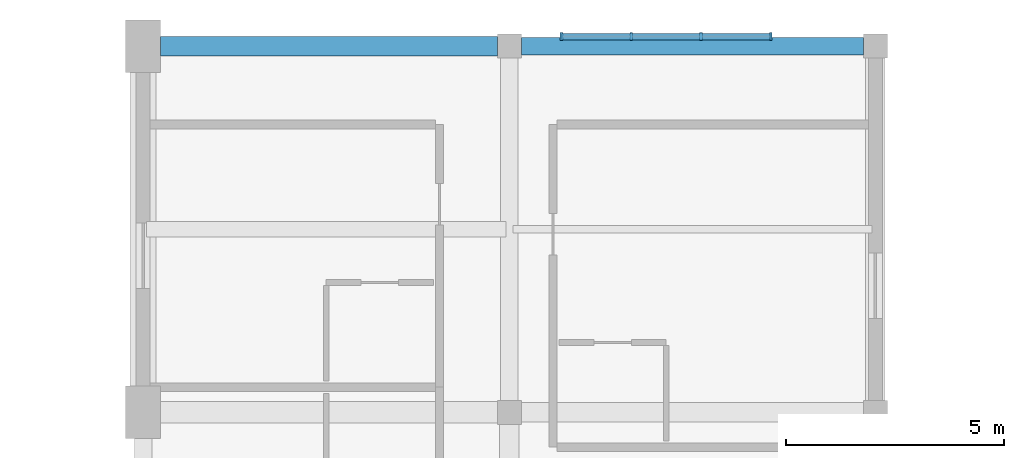
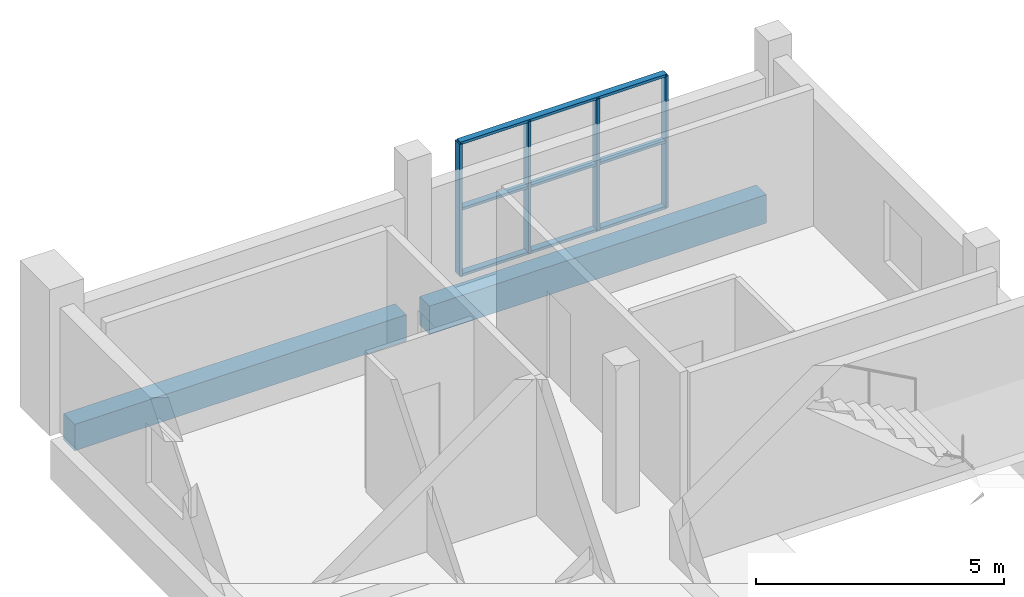
# One storey, part 6 of 20: 7 members, 2 beams, 1 element without a shape of its own.
"""IFC4 building model written with IfcOpenShell, lengths in metres."""

from ifc_helpers import new_model, si_unit, derived_unit, direction, frame, origin, origin_2d, place, context, subcontext, project, spatial, rectangle, extrude, material, material_profile, profile_set, type_object, element, aggregate, save


model = new_model("IFC4")

# Units and contexts
model_context = context("Model", 3, precision=1e-05, world=origin(), true_north=direction((0.0, 1.0)))
body_context = subcontext(model_context, "Body", "Model", "MODEL_VIEW")
ifc_project = project(units=[si_unit("LENGTHUNIT", "METRE"), si_unit("AREAUNIT", "SQUARE_METRE"), si_unit("VOLUMEUNIT", "CUBIC_METRE"), si_unit("PLANEANGLEUNIT", "RADIAN"), si_unit("MASSUNIT", "GRAM", prefix="KILO"), derived_unit("THERMALTRANSMITTANCEUNIT", [(si_unit("POWERUNIT", "WATT"), 1), (si_unit("LENGTHUNIT", "METRE"), -2), (si_unit("THERMODYNAMICTEMPERATUREUNIT", "KELVIN"), -1)])], contexts=[model_context])

# Site, building, storey
site_placement = place(None, origin())
site = spatial("IfcSite", under=ifc_project, at=site_placement, CompositionType="ELEMENT")
building_placement = place(site_placement, origin())
building = spatial("IfcBuilding", under=site, at=building_placement, Name="Barrovel Congress Hotel", CompositionType="ELEMENT")
storey_placement = place(building_placement, frame((0.0, 0.0, 36.300048828125)))
storey = spatial("IfcBuildingStorey", under=building, at=storey_placement, Name="L09", CompositionType="ELEMENT", Elevation=36.300048828125)

# Beams
ifc_material_1 = material(Name="Concrete C40", Category="concrete")
ifc_material_profile_1 = material_profile(ifc_material_1, rectangle(XDim=0.39990234375, YDim=0.699951171875, at=origin_2d()), Name="RC400x700")
ifc_profile_set_1 = profile_set([ifc_material_profile_1], Name="Concrete C40")
beam_type_1 = type_object("IfcBeamType", Name="BM-RC400x700", PredefinedType="BEAM", material=ifc_profile_set_1)
beam_1_placement = place(storey_placement, frame((42.27490234375, 71.39990234375, -0.570068359375), z_axis=(1.0, 0.0, 0.0), x_axis=(0.0, 1.0, 0.0)))
element("IfcBeam", 1, at=beam_1_placement, inside=storey, type_object=beam_type_1, Name="BMX:L09:71.4:42.0-50.4", PredefinedType="BEAM", context=body_context, shape_type="SweptSolid", body=[
    extrude(rectangle(XDim=0.39990234375, YDim=0.699951171875, at=origin_2d()), origin(), (0.0, 0.0, 1.0), 7.85009765625),
])
ifc_material_profile_2 = material_profile(ifc_material_1, rectangle(XDim=0.449951171875, YDim=0.64990234375, at=origin_2d()), Name="RC450x650")
ifc_profile_set_2 = profile_set([ifc_material_profile_2], Name="Concrete C40")
beam_type_2 = type_object("IfcBeamType", Name="BM-RC450x650", PredefinedType="BEAM", material=ifc_profile_set_2)
beam_2_placement = place(storey_placement, frame((34.0, 71.39990234375, -0.545166015625), z_axis=(1.0, 0.0, 0.0), x_axis=(0.0, 1.0, 0.0)))
element("IfcBeam", 2, at=beam_2_placement, inside=storey, type_object=beam_type_2, Name="BMX:L09:71.4:33.6-42.0", PredefinedType="BEAM", context=body_context, shape_type="SweptSolid", body=[
    extrude(rectangle(XDim=0.449951171875, YDim=0.64990234375, at=origin_2d()), origin(), (0.0, 0.0, 1.0), 7.72509765625),
])

# Curtain wall, members
ifc_material_2 = material(Name="Anodised Aluminium Alloy 6063-T6", Category="aluminium")
curtain_wall_type = type_object("IfcCurtainWallType", Name="CW-UN-4800x3200", PredefinedType="USERDEFINED", material=ifc_material_2)
curtain_wall_placement = place(storey_placement, origin())
curtain_wall = element("IfcCurtainWall", 3, at=curtain_wall_placement, inside=storey, type_object=curtain_wall_type, Name="CW:L09:UN-2", ObjectType="UNITISED CURTAIN WALL", PredefinedType="USERDEFINED")
ifc_material_profile_3 = material_profile(ifc_material_2, rectangle(XDim=0.06494140625, YDim=0.18994140625, at=origin_2d()), Name="AL-M65x190")
ifc_profile_set_3 = profile_set([ifc_material_profile_3], Name="Anodised Aluminium Alloy 6063-T6")
member_type_1 = type_object("IfcMemberType", Name="CWM-AL-M65x190", PredefinedType="MULLION", material=ifc_profile_set_3)
member_1_placement = place(storey_placement, frame((43.199951171875, 71.6201171875, 0.0), z_axis=(0.0, 0.0, 1.0), x_axis=(1.0, 0.0, 0.0)))
member_1 = element("IfcMember", 4, at=member_1_placement, type_object=member_type_1, Name="CW:L09:UN-2:M0", PredefinedType="MULLION", context=body_context, shape_type="SweptSolid", body=[
    extrude(rectangle(XDim=0.06494140625, YDim=0.18994140625, at=origin_2d()), origin(), (0.0, 0.0, 1.0), 3.25),
])
member_2_placement = place(storey_placement, frame((44.800048828125, 71.6201171875, 0.0), z_axis=(0.0, 0.0, 1.0), x_axis=(1.0, 0.0, 0.0)))
member_2 = element("IfcMember", 5, at=member_2_placement, type_object=member_type_1, Name="CW:L09:UN-2:M1", PredefinedType="MULLION", context=body_context, shape_type="SweptSolid", body=[
    extrude(rectangle(XDim=0.06494140625, YDim=0.18994140625, at=origin_2d()), origin(), (0.0, 0.0, 1.0), 3.25),
])
member_3_placement = place(storey_placement, frame((46.39990234375, 71.6201171875, 0.0), z_axis=(0.0, 0.0, 1.0), x_axis=(1.0, 0.0, 0.0)))
member_3 = element("IfcMember", 6, at=member_3_placement, type_object=member_type_1, Name="CW:L09:UN-2:M2", PredefinedType="MULLION", context=body_context, shape_type="SweptSolid", body=[
    extrude(rectangle(XDim=0.06494140625, YDim=0.18994140625, at=origin_2d()), origin(), (0.0, 0.0, 1.0), 3.25),
])
member_4_placement = place(storey_placement, frame((48.0, 71.6201171875, 0.0), z_axis=(0.0, 0.0, 1.0), x_axis=(1.0, 0.0, 0.0)))
member_4 = element("IfcMember", 7, at=member_4_placement, type_object=member_type_1, Name="CW:L09:UN-2:M3", PredefinedType="MULLION", context=body_context, shape_type="SweptSolid", body=[
    extrude(rectangle(XDim=0.06494140625, YDim=0.18994140625, at=origin_2d()), origin(), (0.0, 0.0, 1.0), 3.25),
])
ifc_material_profile_4 = material_profile(ifc_material_2, rectangle(XDim=0.14990234375, YDim=0.06494140625, at=origin_2d()), Name="AL-T65x150")
ifc_profile_set_4 = profile_set([ifc_material_profile_4], Name="Anodised Aluminium Alloy 6063-T6")
member_type_2 = type_object("IfcMemberType", Name="CWT-AL-T65x150", PredefinedType="USERDEFINED", material=ifc_profile_set_4)
member_5_placement = place(storey_placement, frame((43.199951171875, 71.6201171875, 0.0), z_axis=(1.0, 0.0, 0.0), x_axis=(0.0, 1.0, 0.0)))
member_5 = element("IfcMember", 8, at=member_5_placement, type_object=member_type_2, Name="CW:L09:UN-2:T0", ObjectType="TRANSOM", PredefinedType="USERDEFINED", context=body_context, shape_type="SweptSolid", body=[
    extrude(rectangle(XDim=0.14990234375, YDim=0.06494140625, at=origin_2d()), origin(), (0.0, 0.0, 1.0), 4.800048828125),
])
member_6_placement = place(storey_placement, frame((43.199951171875, 71.6201171875, 1.625), z_axis=(1.0, 0.0, 0.0), x_axis=(0.0, 1.0, 0.0)))
member_6 = element("IfcMember", 9, at=member_6_placement, type_object=member_type_2, Name="CW:L09:UN-2:T1", ObjectType="TRANSOM", PredefinedType="USERDEFINED", context=body_context, shape_type="SweptSolid", body=[
    extrude(rectangle(XDim=0.14990234375, YDim=0.06494140625, at=origin_2d()), origin(), (0.0, 0.0, 1.0), 4.800048828125),
])
member_7_placement = place(storey_placement, frame((43.199951171875, 71.6201171875, 3.25), z_axis=(1.0, 0.0, 0.0), x_axis=(0.0, 1.0, 0.0)))
member_7 = element("IfcMember", 10, at=member_7_placement, type_object=member_type_2, Name="CW:L09:UN-2:T2", ObjectType="TRANSOM", PredefinedType="USERDEFINED", context=body_context, shape_type="SweptSolid", body=[
    extrude(rectangle(XDim=0.14990234375, YDim=0.06494140625, at=origin_2d()), origin(), (0.0, 0.0, 1.0), 4.800048828125),
])
aggregate(curtain_wall, [member_1, member_2, member_3, member_4, member_5, member_6, member_7])

save(model, "model.ifc")
